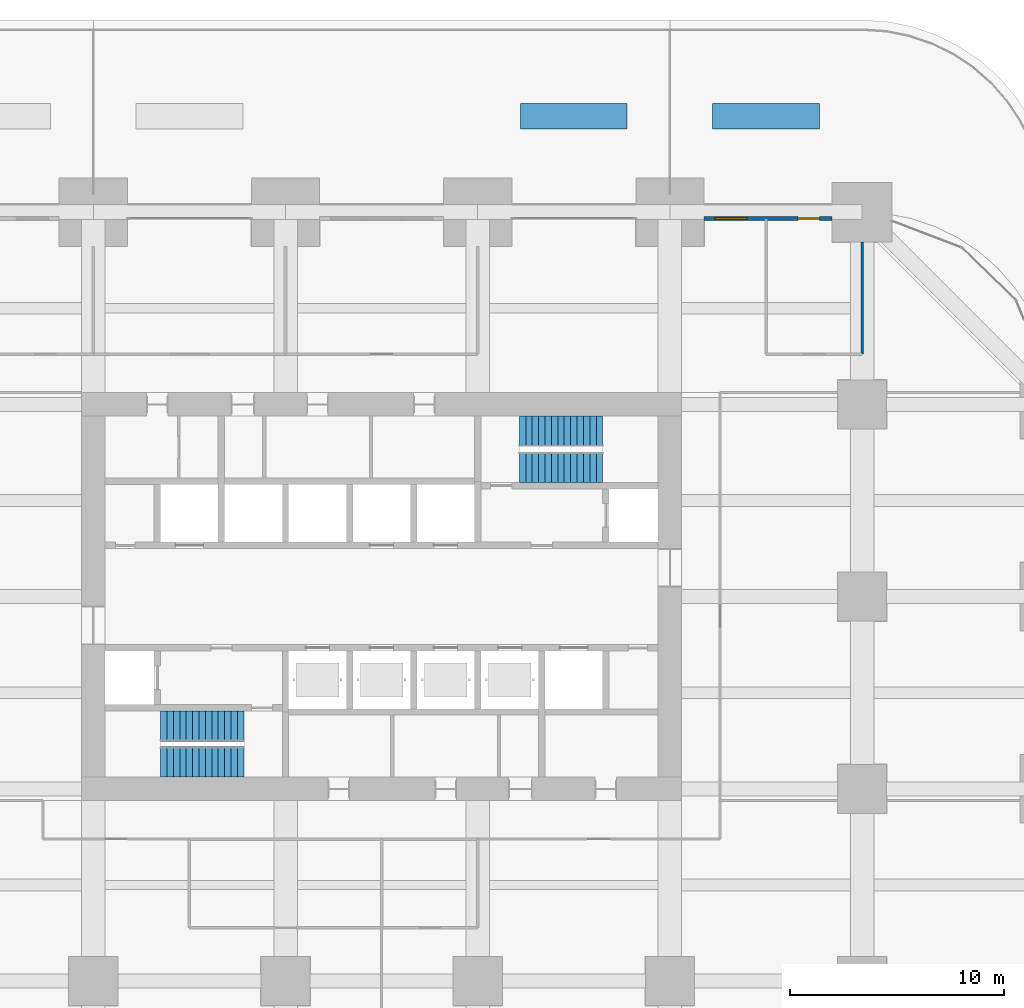
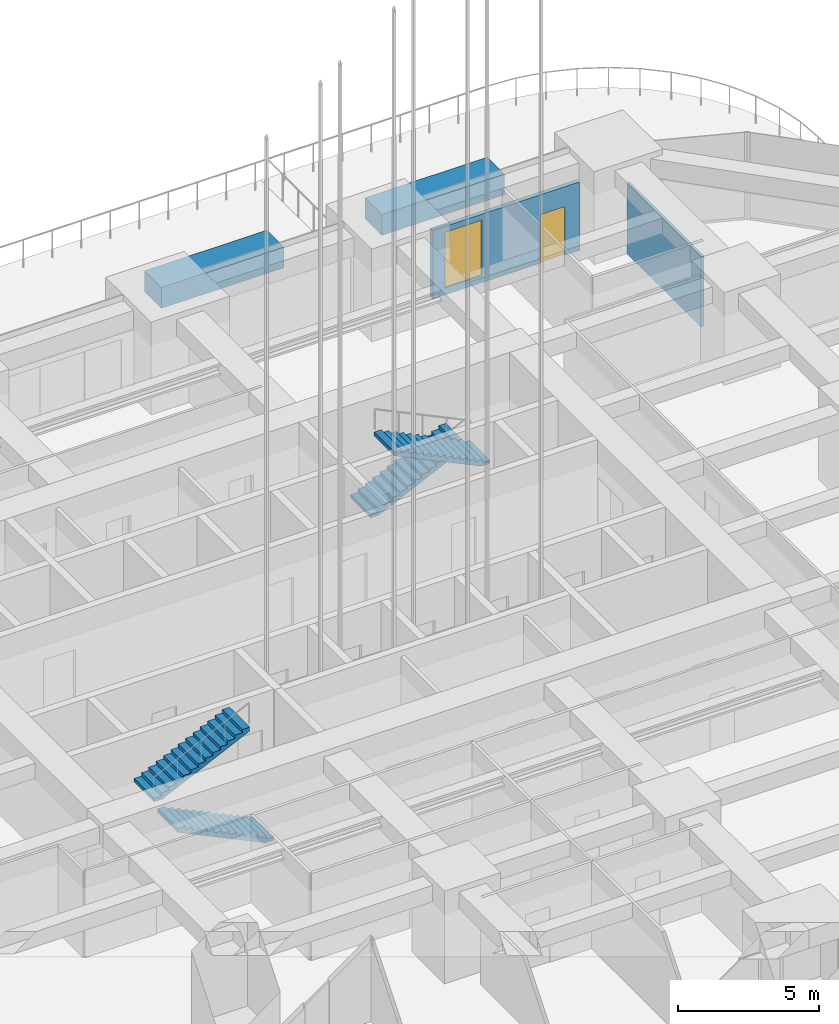
# One storey, part 39 of 50: 4 stair flights, 4 walls, 1 door, 1 window, 2 openings, 2 elements without a shape of their own.
"""IFC4 building model written with IfcOpenShell, lengths in metres."""

from ifc_helpers import new_model, si_unit, direction, frame, frame_2d, origin, place, context, subcontext, project, spatial, polyline, rectangle, outline, extrude, material, layer, layer_set, type_object, element, fill, aggregate, save


model = new_model("IFC4")

# Units and contexts
model_context = context("Model", 3, precision=1e-05, world=origin(), true_north=direction((0.0, 1.0)))
body_context = subcontext(model_context, "Body", "Model", "MODEL_VIEW")
ifc_project = project(units=[si_unit("LENGTHUNIT", "METRE"), si_unit("AREAUNIT", "SQUARE_METRE"), si_unit("VOLUMEUNIT", "CUBIC_METRE"), si_unit("PLANEANGLEUNIT", "RADIAN"), si_unit("MASSUNIT", "GRAM", prefix="KILO")], contexts=[model_context])

# Site, building, storey
site_placement = place(None, origin())
site = spatial("IfcSite", under=ifc_project, at=site_placement, CompositionType="ELEMENT")
building_placement = place(site_placement, origin())
building = spatial("IfcBuilding", under=site, at=building_placement, Name="Zorevar Civic Tower", CompositionType="ELEMENT")
storey_placement = place(building_placement, frame((0.0, 0.0, 85.0)))
storey = spatial("IfcBuildingStorey", under=building, at=storey_placement, Name="L20", CompositionType="ELEMENT", Elevation=85.0)

# Walls
ifc_material_1 = material(Name="Gypsum board on steel studs", Category="steel")
ifc_layer_1 = layer(ifc_material_1, 0.1201171875)
ifc_layer_set_1 = layer_set([ifc_layer_1], Name="Partition 120")
wall_type_1 = type_object("IfcWallType", Name="Partition 120", PredefinedType="PARTITIONING", material=ifc_layer_set_1)
wall_1_placement = place(storey_placement, frame((54.0, 38.35009765625, 0.0), z_axis=(0.0, 0.0, 1.0), x_axis=(0.0, 1.0, 0.0)))
element("IfcWall", 1, at=wall_1_placement, inside=storey, type_object=wall_type_1, Name="Partition 120 L20", PredefinedType="PARTITIONING", context=body_context, shape_type="SweptSolid", body=[
    extrude(rectangle(XDim=5.25, YDim=0.1201171875, at=frame_2d((2.625, 0.0))), origin(), (0.0, 0.0, 1.0), 3.050048828125),
])
ifc_material_2 = material(Name="Precast concrete planter", Category="concrete")
ifc_layer_2 = layer(ifc_material_2, 1.199951171875)
ifc_layer_set_2 = layer_set([ifc_layer_2], Name="Planter PL1 1200")
wall_type_2 = type_object("IfcWallType", Name="Planter PL1 1200", PredefinedType="USERDEFINED", material=ifc_layer_set_2)
for number, where, z_axis, x_axis, name in (
    (2, (38.0, 49.5, 0.0), (0.0, 0.0, 1.0), (1.0, 0.0, 0.0), "Planter L20"),
    (3, (47.0, 49.5, 0.0), (0.0, 0.0, 1.0), (1.0, 0.0, 0.0), "Planter L20"),
):
    element("IfcWall", number, at=place(storey_placement, frame(where, z_axis=z_axis, x_axis=x_axis)), inside=storey, type_object=wall_type_2, Name=name, ObjectType="PLANTER", PredefinedType="USERDEFINED", context=body_context, shape_type="SweptSolid", body=[
        extrude(rectangle(XDim=5.0, YDim=1.199951171875, at=frame_2d((2.5, 0.0))), origin(), (0.0, 0.0, 1.0), 0.89990234375),
    ])

# Wall, openings, door, window
ifc_material_3 = material(Name="Black metal-faced insulated panel", Category="aluminium")
ifc_layer_3 = layer(ifc_material_3, 0.179931640625)
ifc_layer_set_3 = layer_set([ifc_layer_3], Name="Screen wall 180")
wall_type_3 = type_object("IfcWallType", Name="Screen wall 180", PredefinedType="SOLIDWALL", material=ifc_layer_set_3)
wall_2_placement = place(storey_placement, frame((46.60009765625, 44.699951171875, 0.0), z_axis=(0.0, 0.0, 1.0), x_axis=(1.0, 0.0, 0.0)))
wall_2 = element("IfcWall", 4, at=wall_2_placement, inside=storey, type_object=wall_type_3, Name="Screen wall L20 N45", PredefinedType="SOLIDWALL", context=body_context, shape_type="SweptSolid", body=[
    extrude(rectangle(XDim=6.0, YDim=0.179931640625, at=frame_2d((3.0, 0.0))), origin(), (0.0, 0.0, 1.0), 2.949951171875),
])
opening_1_placement = place(wall_2_placement, frame((4.39990234375, 0.0, 0.0)))
opening_1 = element("IfcOpeningElement", 5, at=opening_1_placement, cuts=wall_2, Name="Opening MD1", PredefinedType="OPENING", context=body_context, shape_type="SweptSolid", body=[
    extrude(rectangle(XDim=1.0, YDim=2.10009765625, at=frame_2d((0.5, 1.050048828125))), frame((0.0, 0.099853515625, 0.0), z_axis=(0.0, -1.0, 0.0), x_axis=(1.0, 0.0, 0.0)), (0.0, 0.0, 1.0), 0.199951171875),
])
opening_2_placement = place(wall_2_placement, frame((0.5, 0.0, 0.300048828125)))
opening_2 = element("IfcOpeningElement", 6, at=opening_2_placement, cuts=wall_2, Name="Opening WS1", PredefinedType="OPENING", context=body_context, shape_type="SweptSolid", body=[
    extrude(rectangle(XDim=1.5, YDim=2.39990234375, at=frame_2d((0.75, 1.199951171875))), frame((0.0, 0.099853515625, 0.0), z_axis=(0.0, -1.0, 0.0), x_axis=(1.0, 0.0, 0.0)), (0.0, 0.0, 1.0), 0.199951171875),
])
ifc_material_4 = material(Name="Insulated black steel", Category="steel")
door_type = type_object("IfcDoorType", Name="Maintenance door MD1 1000x2100", OperationType="SINGLE_SWING_LEFT", PredefinedType="DOOR", material=ifc_material_4)
door_placement = place(opening_1_placement, origin())
door = element("IfcDoor", 7, at=door_placement, inside=storey, type_object=door_type, Name="Maintenance door L20 N45", OperationType="SINGLE_SWING_RIGHT", OverallHeight=2.10009765625, OverallWidth=1.0, PredefinedType="DOOR", context=body_context, shape_type="SweptSolid", body=[
    extrude(rectangle(XDim=1.0, YDim=2.10009765625, at=frame_2d((0.5, 1.050048828125))), frame((0.0, 0.03515625, 0.0), z_axis=(0.0, -1.0, 0.0), x_axis=(1.0, 0.0, 0.0)), (0.0, 0.0, 1.0), 0.070068359375),
])
fill(opening_1, door)
ifc_material_5 = material(Name="Black aluminium and dark glass", Category="aluminium")
window_type = type_object("IfcWindowType", Name="Window WS1 1500x2400", PartitioningType="SINGLE_PANEL", PredefinedType="WINDOW", material=ifc_material_5)
window_placement = place(opening_2_placement, origin())
window = element("IfcWindow", 8, at=window_placement, inside=storey, type_object=window_type, Name="Screen window L20 N45", OverallHeight=2.39990234375, OverallWidth=1.5, PartitioningType="SINGLE_PANEL", PredefinedType="WINDOW", context=body_context, shape_type="SweptSolid", body=[
    extrude(rectangle(XDim=1.5, YDim=2.39990234375, at=frame_2d((0.75, 1.199951171875))), frame((0.0, 0.030029296875, 0.0), z_axis=(0.0, -1.0, 0.0), x_axis=(1.0, 0.0, 0.0)), (0.0, 0.0, 1.0), 0.06005859375),
])
fill(opening_2, window)

# Stair, stair flights
ifc_material_6 = material(Name="Precast concrete C40/50", Category="concrete")
stair_type = type_object("IfcStairType", Name="Stair ST 28R", PredefinedType="HALF_TURN_STAIR", material=ifc_material_6)
stair_1_placement = place(storey_placement, origin())
stair_1 = element("IfcStair", 9, at=stair_1_placement, inside=storey, type_object=stair_type, Name="Stair ST1 L20", PredefinedType="HALF_TURN_STAIR")
ifc_material_7 = material(Name="Precast concrete C40/50", Category="concrete")
stair_flight_type = type_object("IfcStairFlightType", Name="Stair flight", PredefinedType="STRAIGHT", material=ifc_material_7)
stair_flight_1_placement = place(storey_placement, frame((25.050048828125, 19.262451171875, 0.0), z_axis=(0.0, 0.0, 1.0), x_axis=(-1.0, 0.0, 0.0)))
stair_flight_1 = element("IfcStairFlight", 10, at=stair_flight_1_placement, type_object=stair_flight_type, Name="ST1 flight 1", NumberOfRisers=14, NumberOfTreads=13, PredefinedType="STRAIGHT", RiserHeight=0.142857143, TreadLength=0.3, context=body_context, shape_type="SweptSolid", body=[
    extrude(outline(polyline([(0.0, 0.0), (0.0, 0.142822265625), (0.300048828125, 0.142822265625), (0.300048828125, 0.28564453125), (0.60009765625, 0.28564453125), (0.60009765625, 0.428466796875), (0.89990234375, 0.428466796875), (0.89990234375, 0.571533203125), (1.199951171875, 0.571533203125), (1.199951171875, 0.71435546875), (1.5, 0.71435546875), (1.5, 0.857177734375), (1.800048828125, 0.857177734375), (1.800048828125, 1.0), (2.10009765625, 1.0), (2.10009765625, 1.142822265625), (2.39990234375, 1.142822265625), (2.39990234375, 1.28564453125), (2.699951171875, 1.28564453125), (2.699951171875, 1.428466796875), (3.0, 1.428466796875), (3.0, 1.571533203125), (3.300048828125, 1.571533203125), (3.300048828125, 1.71435546875), (3.60009765625, 1.71435546875), (3.60009765625, 1.857177734375), (3.89990234375, 1.857177734375), (3.89990234375, 2.0), (3.89990234375, 1.691162109375), (0.3486328125, 0.0), (0.0, 0.0)])), frame((0.0, 0.71240234375, 0.0), z_axis=(0.0, -1.0, 0.0), x_axis=(1.0, 0.0, 0.0)), (0.0, 0.0, 1.0), 1.425048828125),
])
stair_flight_2_placement = place(storey_placement, frame((21.14990234375, 20.9375, 2.0), z_axis=(0.0, 0.0, 1.0), x_axis=(1.0, 0.0, 0.0)))
stair_flight_2 = element("IfcStairFlight", 11, at=stair_flight_2_placement, type_object=stair_flight_type, Name="ST1 flight 2", NumberOfRisers=14, NumberOfTreads=13, PredefinedType="STRAIGHT", RiserHeight=0.142857143, TreadLength=0.3, context=body_context, shape_type="SweptSolid", body=[
    extrude(outline(polyline([(0.0, 0.0), (0.0, 0.142822265625), (0.300048828125, 0.142822265625), (0.300048828125, 0.28564453125), (0.60009765625, 0.28564453125), (0.60009765625, 0.428466796875), (0.89990234375, 0.428466796875), (0.89990234375, 0.571533203125), (1.199951171875, 0.571533203125), (1.199951171875, 0.71435546875), (1.5, 0.71435546875), (1.5, 0.857177734375), (1.800048828125, 0.857177734375), (1.800048828125, 1.0), (2.10009765625, 1.0), (2.10009765625, 1.142822265625), (2.39990234375, 1.142822265625), (2.39990234375, 1.28564453125), (2.699951171875, 1.28564453125), (2.699951171875, 1.428466796875), (3.0, 1.428466796875), (3.0, 1.571533203125), (3.300048828125, 1.571533203125), (3.300048828125, 1.71435546875), (3.60009765625, 1.71435546875), (3.60009765625, 1.857177734375), (3.89990234375, 1.857177734375), (3.89990234375, 2.0), (3.89990234375, 1.691162109375), (0.3486328125, 0.0), (0.0, 0.0)])), frame((0.0, 0.71240234375, 0.0), z_axis=(0.0, -1.0, 0.0), x_axis=(1.0, 0.0, 0.0)), (0.0, 0.0, 1.0), 1.425048828125),
])
aggregate(stair_1, [stair_flight_1, stair_flight_2])

stair_2_placement = place(storey_placement, origin())
stair_2 = element("IfcStair", 12, at=stair_2_placement, inside=storey, type_object=stair_type, Name="Stair ST2 L20", PredefinedType="HALF_TURN_STAIR")
stair_flight_3_placement = place(storey_placement, frame((37.949951171875, 34.737548828125, 0.0), z_axis=(0.0, 0.0, 1.0), x_axis=(1.0, 0.0, 0.0)))
stair_flight_3 = element("IfcStairFlight", 13, at=stair_flight_3_placement, type_object=stair_flight_type, Name="ST2 flight 1", NumberOfRisers=14, NumberOfTreads=13, PredefinedType="STRAIGHT", RiserHeight=0.142857143, TreadLength=0.3, context=body_context, shape_type="SweptSolid", body=[
    extrude(outline(polyline([(0.0, 0.0), (0.0, 0.142822265625), (0.300048828125, 0.142822265625), (0.300048828125, 0.28564453125), (0.60009765625, 0.28564453125), (0.60009765625, 0.428466796875), (0.89990234375, 0.428466796875), (0.89990234375, 0.571533203125), (1.199951171875, 0.571533203125), (1.199951171875, 0.71435546875), (1.5, 0.71435546875), (1.5, 0.857177734375), (1.800048828125, 0.857177734375), (1.800048828125, 1.0), (2.10009765625, 1.0), (2.10009765625, 1.142822265625), (2.39990234375, 1.142822265625), (2.39990234375, 1.28564453125), (2.699951171875, 1.28564453125), (2.699951171875, 1.428466796875), (3.0, 1.428466796875), (3.0, 1.571533203125), (3.300048828125, 1.571533203125), (3.300048828125, 1.71435546875), (3.60009765625, 1.71435546875), (3.60009765625, 1.857177734375), (3.89990234375, 1.857177734375), (3.89990234375, 2.0), (3.89990234375, 1.691162109375), (0.3486328125, 0.0), (0.0, 0.0)])), frame((0.0, 0.71240234375, 0.0), z_axis=(0.0, -1.0, 0.0), x_axis=(1.0, 0.0, 0.0)), (0.0, 0.0, 1.0), 1.425048828125),
])
stair_flight_4_placement = place(storey_placement, frame((41.85009765625, 33.0625, 2.0), z_axis=(0.0, 0.0, 1.0), x_axis=(-1.0, 0.0, 0.0)))
stair_flight_4 = element("IfcStairFlight", 14, at=stair_flight_4_placement, type_object=stair_flight_type, Name="ST2 flight 2", NumberOfRisers=14, NumberOfTreads=13, PredefinedType="STRAIGHT", RiserHeight=0.142857143, TreadLength=0.3, context=body_context, shape_type="SweptSolid", body=[
    extrude(outline(polyline([(0.0, 0.0), (0.0, 0.142822265625), (0.300048828125, 0.142822265625), (0.300048828125, 0.28564453125), (0.60009765625, 0.28564453125), (0.60009765625, 0.428466796875), (0.89990234375, 0.428466796875), (0.89990234375, 0.571533203125), (1.199951171875, 0.571533203125), (1.199951171875, 0.71435546875), (1.5, 0.71435546875), (1.5, 0.857177734375), (1.800048828125, 0.857177734375), (1.800048828125, 1.0), (2.10009765625, 1.0), (2.10009765625, 1.142822265625), (2.39990234375, 1.142822265625), (2.39990234375, 1.28564453125), (2.699951171875, 1.28564453125), (2.699951171875, 1.428466796875), (3.0, 1.428466796875), (3.0, 1.571533203125), (3.300048828125, 1.571533203125), (3.300048828125, 1.71435546875), (3.60009765625, 1.71435546875), (3.60009765625, 1.857177734375), (3.89990234375, 1.857177734375), (3.89990234375, 2.0), (3.89990234375, 1.691162109375), (0.3486328125, 0.0), (0.0, 0.0)])), frame((0.0, 0.71240234375, 0.0), z_axis=(0.0, -1.0, 0.0), x_axis=(1.0, 0.0, 0.0)), (0.0, 0.0, 1.0), 1.425048828125),
])
aggregate(stair_2, [stair_flight_3, stair_flight_4])

save(model, "model.ifc")
